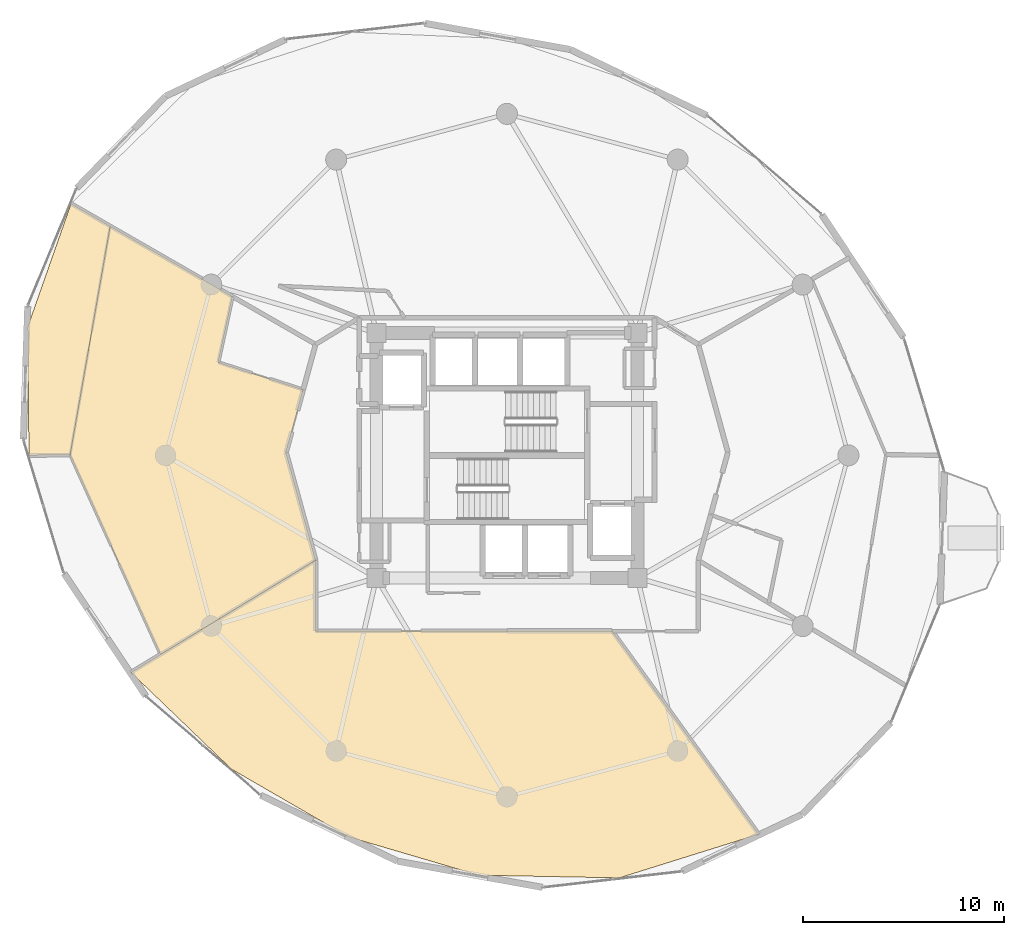
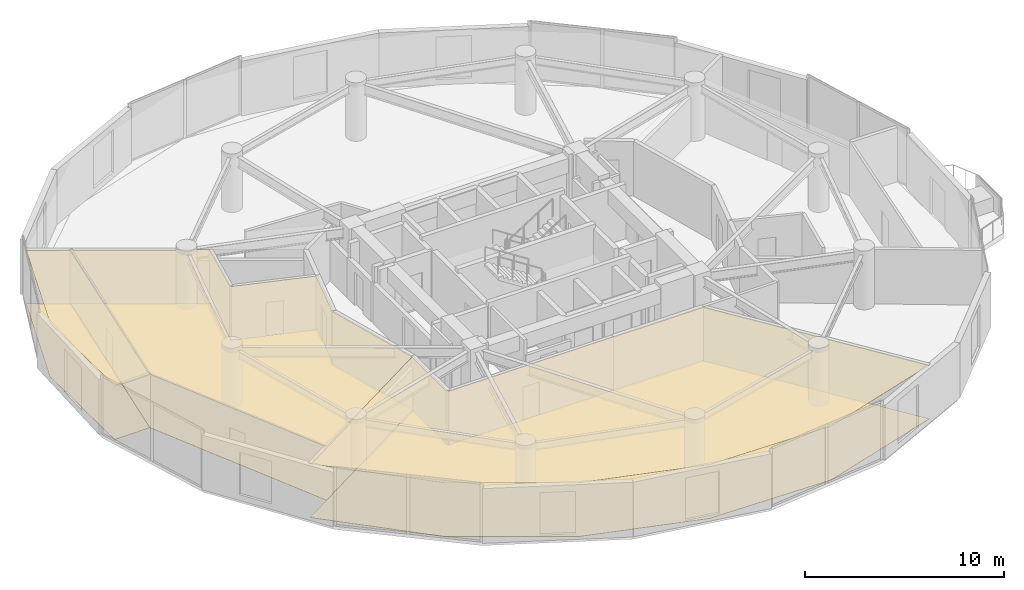
# One storey, part 24 of 26: 6 coverings.
"""IFC4 building model written with IfcOpenShell, lengths in metres."""

from ifc_helpers import new_model, si_unit, direction, frame, origin, place, context, subcontext, project, spatial, polyline, outline, extrude, material, layer, layer_set, type_object, element, save


model = new_model("IFC4")

# Units and contexts
model_context = context("Model", 3, precision=1e-05, world=origin(), true_north=direction((0.0, 1.0)))
body_context = subcontext(model_context, "Body", "Model", "MODEL_VIEW")
ifc_project = project(units=[si_unit("LENGTHUNIT", "METRE"), si_unit("AREAUNIT", "SQUARE_METRE"), si_unit("VOLUMEUNIT", "CUBIC_METRE"), si_unit("PLANEANGLEUNIT", "RADIAN"), si_unit("MASSUNIT", "GRAM", prefix="KILO")], contexts=[model_context])

# Site, building, storey
site_placement = place(None, origin())
site = spatial("IfcSite", under=ifc_project, at=site_placement, CompositionType="ELEMENT")
building_placement = place(site_placement, origin())
building = spatial("IfcBuilding", under=site, at=building_placement, Name="Solvirekh Grand Hotel", CompositionType="ELEMENT")
storey_placement = place(building_placement, frame((0.0, 0.0, 113.39990234375)))
storey = spatial("IfcBuildingStorey", under=building, at=storey_placement, Name="L28", CompositionType="ELEMENT", Elevation=113.39990234375)

# Coverings
ifc_material_1 = material(Name="Acoustic Mineral Ceiling Tile")
ifc_layer_1 = layer(ifc_material_1, 0.02490234375)
ifc_layer_set_1 = layer_set([ifc_layer_1], Name="Acoustic Mineral Ceiling Tile")
covering_type_1 = type_object("IfcCoveringType", Name="Cov_Ceiling_Acoustic", PredefinedType="CEILING", material=ifc_layer_set_1)
covering_1_placement = place(storey_placement, frame((0.0, 0.0, 3.300048828125)))
element("IfcCovering", 1, at=covering_1_placement, inside=storey, type_object=covering_type_1, Name="L28 Executive Suite 3002 Living Room acoustic ceiling", PredefinedType="CEILING", context=body_context, shape_type="SweptSolid", body=[
    extrude(outline(polyline([(-14.373046875, 4.6279296875), (-13.666015625, 7.906982421875), (-19.75390625, 11.408935546875), (-21.7490234375, 0.02392578125), (-17.25, -9.9150390625), (-9.52587890625, -5.22509765625), (-11.0, 0.14990234375), (-10.14501953125, 3.26806640625), (-14.373046875, 4.6279296875)])), origin(), (0.0, 0.0, 1.0), 0.01806640625),
])
covering_2_placement = place(storey_placement, frame((0.0, 0.0, 3.300048828125)))
element("IfcCovering", 2, at=covering_2_placement, inside=storey, type_object=covering_type_1, Name="L28 Executive Suite 3002 Master Bedroom acoustic ceiling", PredefinedType="CEILING", context=body_context, shape_type="SweptSolid", body=[
    extrude(outline(polyline([(-21.701904296875, 12.530029296875), (-23.85888671875, 6.39306640625), (-23.7958984375, 0.0), (-21.7490234375, 0.02392578125), (-19.75390625, 11.408935546875), (-21.701904296875, 12.530029296875)])), origin(), (0.0, 0.0, 1.0), 0.01806640625),
])
covering_3_placement = place(storey_placement, frame((0.0, 0.0, 3.300048828125)))
element("IfcCovering", 3, at=covering_3_placement, inside=storey, type_object=covering_type_1, Name="L28 L28 Chamber Music Conservatory acoustic ceiling", PredefinedType="CEILING", context=body_context, shape_type="SweptSolid", body=[
    extrude(outline(polyline([(-18.720947265625, -10.80810546875), (-13.714111328125, -15.6220703125), (-7.889892578125, -18.992919921875), (-1.403076171875, -20.903076171875), (5.590087890625, -21.037109375), (12.534912109375, -18.866943359375), (5.239013671875, -8.75), (0.0, -8.75), (-9.52587890625, -8.75), (-9.52587890625, -5.22509765625), (-18.720947265625, -10.80810546875)])), origin(), (0.0, 0.0, 1.0), 0.01806640625),
])
ifc_material_2 = material(Name="Porcelain Stoneware Flooring", Category="masonry")
ifc_layer_2 = layer(ifc_material_2, 0.030029296875)
ifc_layer_set_2 = layer_set([ifc_layer_2], Name="Porcelain Stoneware Flooring")
covering_type_2 = type_object("IfcCoveringType", Name="Cov_Floor_Stone", PredefinedType="FLOORING", material=ifc_layer_set_2)
covering_4_placement = place(storey_placement, origin())
element("IfcCovering", 4, at=covering_4_placement, inside=storey, type_object=covering_type_2, Name="L28 Executive Suite 3002 Living Room polished granite flooring", PredefinedType="FLOORING", context=body_context, shape_type="SweptSolid", body=[
    extrude(outline(polyline([(-14.373046875, 4.6279296875), (-13.666015625, 7.906982421875), (-19.75390625, 11.408935546875), (-21.7490234375, 0.02392578125), (-17.25, -9.9150390625), (-9.52587890625, -5.22509765625), (-11.0, 0.14990234375), (-10.14501953125, 3.26806640625), (-14.373046875, 4.6279296875)])), origin(), (0.0, 0.0, 1.0), 0.02001953125),
])
covering_5_placement = place(storey_placement, origin())
element("IfcCovering", 5, at=covering_5_placement, inside=storey, type_object=covering_type_2, Name="L28 Executive Suite 3002 Master Bedroom polished granite flooring", PredefinedType="FLOORING", context=body_context, shape_type="SweptSolid", body=[
    extrude(outline(polyline([(-21.701904296875, 12.530029296875), (-23.85888671875, 6.39306640625), (-23.7958984375, 0.0), (-21.7490234375, 0.02392578125), (-19.75390625, 11.408935546875), (-21.701904296875, 12.530029296875)])), origin(), (0.0, 0.0, 1.0), 0.02001953125),
])
covering_6_placement = place(storey_placement, origin())
element("IfcCovering", 6, at=covering_6_placement, inside=storey, type_object=covering_type_2, Name="L28 L28 Chamber Music Conservatory polished granite flooring", PredefinedType="FLOORING", context=body_context, shape_type="SweptSolid", body=[
    extrude(outline(polyline([(-18.720947265625, -10.80810546875), (-13.714111328125, -15.6220703125), (-7.889892578125, -18.992919921875), (-1.403076171875, -20.903076171875), (5.590087890625, -21.037109375), (12.534912109375, -18.866943359375), (5.239013671875, -8.75), (0.0, -8.75), (-9.52587890625, -8.75), (-9.52587890625, -5.22509765625), (-18.720947265625, -10.80810546875)])), origin(), (0.0, 0.0, 1.0), 0.02001953125),
])

save(model, "model.ifc")
